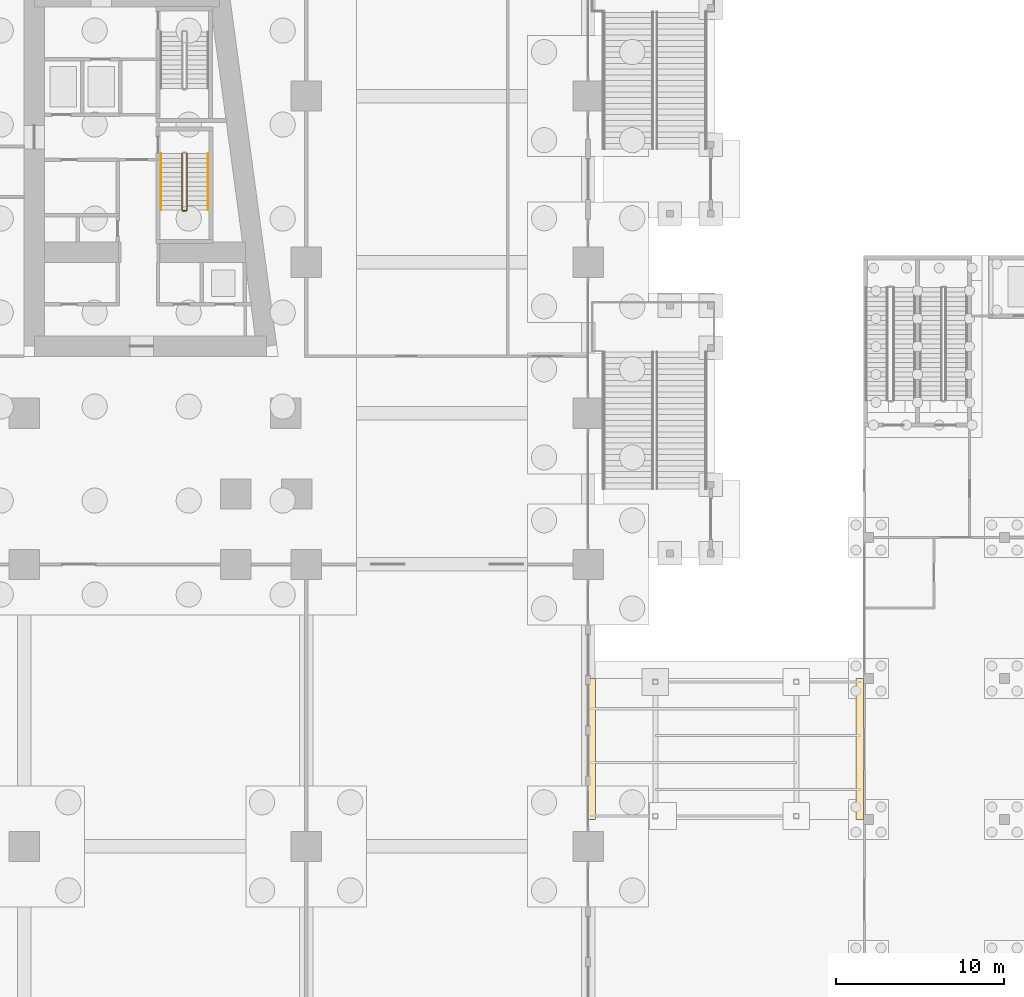
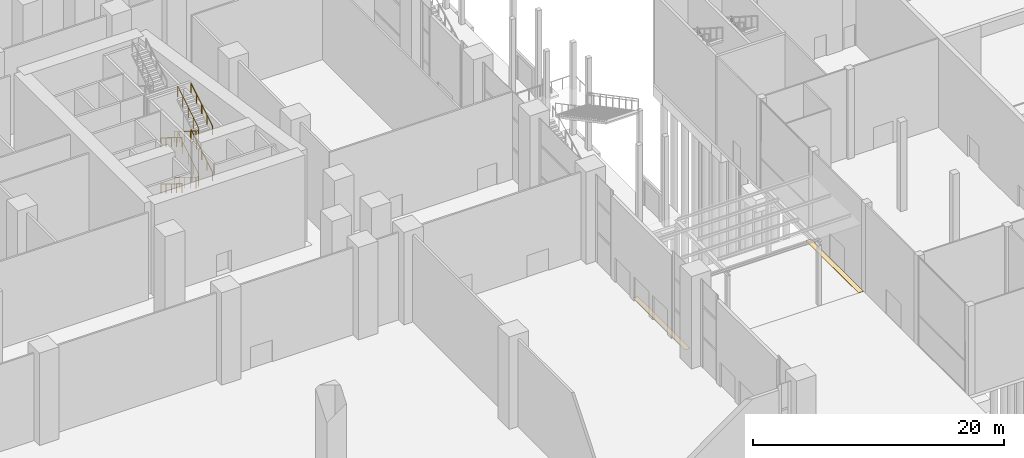
# One storey, part 62 of 72: 6 railings, 2 coverings.
"""IFC4 building model written with IfcOpenShell, lengths in metres."""

from ifc_helpers import new_model, si_unit, direction, frame, origin, origin_2d, place, context, subcontext, project, spatial, polyline, circle, outline, extrude, material, layer, layer_set, type_object, element, save


model = new_model("IFC4")

# Units and contexts
model_context = context("Model", 3, precision=1e-05, world=origin(), true_north=direction((0.0, 1.0)))
body_context = subcontext(model_context, "Body", "Model", "MODEL_VIEW")
ifc_project = project(units=[si_unit("LENGTHUNIT", "METRE"), si_unit("AREAUNIT", "SQUARE_METRE"), si_unit("VOLUMEUNIT", "CUBIC_METRE"), si_unit("PLANEANGLEUNIT", "RADIAN"), si_unit("MASSUNIT", "GRAM", prefix="KILO")], contexts=[model_context])

# Site, building, storey
site_placement = place(None, origin())
site = spatial("IfcSite", under=ifc_project, at=site_placement, CompositionType="ELEMENT")
building_placement = place(site_placement, origin())
building = spatial("IfcBuilding", under=site, at=building_placement, Name="Candeia Pilgrim Tower and Theatre", CompositionType="ELEMENT")
storey_placement = place(building_placement, origin())
storey = spatial("IfcBuildingStorey", under=building, at=storey_placement, Name="L00", CompositionType="ELEMENT", Elevation=0.0)

# Coverings
ifc_material_1 = material(Name="Stainless steel cover plate", Category="steel")
ifc_layer = layer(ifc_material_1, 0.011962890625)
ifc_layer_set = layer_set([ifc_layer], Name="Movement joint cover plate")
covering_type = type_object("IfcCoveringType", Name="Movement joint cover plate", PredefinedType="FLOORING", material=ifc_layer_set)
covering_1_placement = place(storey_placement, origin())
element("IfcCovering", 1, at=covering_1_placement, inside=storey, type_object=covering_type, Name="Movement joint A cover plate", PredefinedType="FLOORING", context=body_context, shape_type="SweptSolid", body=[
    extrude(outline(polyline([(159.60009765625, 82.800048828125), (160.050048828125, 82.800048828125), (160.050048828125, 91.199951171875), (159.60009765625, 91.199951171875), (159.60009765625, 82.800048828125)])), origin(), (0.0, 0.0, 1.0), 0.011962890625),
])
covering_2_placement = place(storey_placement, origin())
element("IfcCovering", 2, at=covering_2_placement, inside=storey, type_object=covering_type, Name="Movement joint B cover plate", PredefinedType="FLOORING", context=body_context, shape_type="SweptSolid", body=[
    extrude(outline(polyline([(175.550048828125, 82.800048828125), (176.0, 82.800048828125), (176.0, 91.199951171875), (175.550048828125, 91.199951171875), (175.550048828125, 82.800048828125)])), origin(), (0.0, 0.0, 1.0), 0.011962890625),
])

# Railings
ifc_material_2 = material(Name="Stainless steel balustrade", Category="steel")
railing_type_1 = type_object("IfcRailingType", Name="RL-GUARD-1100", PredefinedType="GUARDRAIL", material=ifc_material_2)
railing_1_placement = place(storey_placement, frame((135.39794921875, 122.47509765625, 0.173095703125)))
element("IfcRailing", 3, at=railing_1_placement, inside=storey, type_object=railing_type_1, Name="L00 ST3 stair guard 1", PredefinedType="GUARDRAIL", context=body_context, shape_type="SweptSolid", body=[
    extrude(circle(Radius=0.02392578125, at=origin_2d()), frame((0.0, 0.0, 1.076171875), z_axis=(0.0, -0.850623216509, 0.525775754039), x_axis=(1.0, 0.0, 0.0)), (0.0, 0.0, 1.0), 3.9501953125),
    extrude(circle(Radius=0.02392578125, at=origin_2d()), frame((0.0, -3.360107421875, 3.15283203125), z_axis=(0.707106781187, -0.707106781187, 0.0), x_axis=(0.707106781187, 0.707106781187, 0.0)), (0.0, 0.0, 1.0), 0.07080078125),
    extrude(circle(Radius=0.02392578125, at=origin_2d()), frame((0.050048828125, -3.41015625, 3.15283203125), z_axis=(1.0, 0.0, 0.0), x_axis=(0.0, 1.0, 0.0)), (0.0, 0.0, 1.0), 0.199951171875),
    extrude(circle(Radius=0.02392578125, at=origin_2d()), frame((0.25, -3.41015625, 3.15283203125), z_axis=(0.267629722418, 0.267629722418, 0.925607186314), x_axis=(-0.707106781187, 0.707106781187, 0.0)), (0.0, 0.0, 1.0), 0.18701171875),
    extrude(circle(Radius=0.02392578125, at=origin_2d()), frame((0.300048828125, -3.360107421875, 3.326171875), z_axis=(0.0, 0.850623216509, 0.525775754039), x_axis=(-1.0, 0.0, 0.0)), (0.0, 0.0, 1.0), 3.9501953125),
    extrude(circle(Radius=0.02099609375, at=origin_2d()), origin(), (0.0, 0.0, 1.0), 1.052001953125),
    extrude(circle(Radius=0.02099609375, at=origin_2d()), frame((0.0, -0.840087890625, 0.519287109375)), (0.0, 0.0, 1.0), 1.052001953125),
    extrude(circle(Radius=0.02099609375, at=origin_2d()), frame((0.0, -1.68017578125, 1.03857421875)), (0.0, 0.0, 1.0), 1.052001953125),
    extrude(circle(Radius=0.02099609375, at=origin_2d()), frame((0.0, -2.52001953125, 1.5576171875)), (0.0, 0.0, 1.0), 1.052001953125),
    extrude(circle(Radius=0.02099609375, at=origin_2d()), frame((0.0, -3.360107421875, 2.076904296875)), (0.0, 0.0, 1.0), 1.052001953125),
    extrude(circle(Radius=0.02099609375, at=origin_2d()), frame((0.050048828125, -3.41015625, 2.076904296875)), (0.0, 0.0, 1.0), 1.052001953125),
    extrude(circle(Radius=0.02099609375, at=origin_2d()), frame((0.25, -3.41015625, 2.076904296875)), (0.0, 0.0, 1.0), 1.052001953125),
    extrude(circle(Radius=0.02099609375, at=origin_2d()), frame((0.300048828125, -3.360107421875, 2.25)), (0.0, 0.0, 1.0), 1.052001953125),
    extrude(circle(Radius=0.02099609375, at=origin_2d()), frame((0.300048828125, -2.52001953125, 2.769287109375)), (0.0, 0.0, 1.0), 1.052001953125),
    extrude(circle(Radius=0.02099609375, at=origin_2d()), frame((0.300048828125, -1.68017578125, 3.28857421875)), (0.0, 0.0, 1.0), 1.052001953125),
    extrude(circle(Radius=0.02099609375, at=origin_2d()), frame((0.300048828125, -0.840087890625, 3.8076171875)), (0.0, 0.0, 1.0), 1.052001953125),
    extrude(circle(Radius=0.02099609375, at=origin_2d()), frame((0.300048828125, 0.0, 4.326904296875)), (0.0, 0.0, 1.0), 1.052001953125),
])
railing_2_placement = place(storey_placement, frame((135.39794921875, 122.47509765625, 4.673095703125)))
element("IfcRailing", 4, at=railing_2_placement, inside=storey, type_object=railing_type_1, Name="L00 ST3 stair guard 3", PredefinedType="GUARDRAIL", context=body_context, shape_type="SweptSolid", body=[
    extrude(circle(Radius=0.02392578125, at=origin_2d()), frame((0.0, 0.0, 1.076171875), z_axis=(0.0, -0.850623216509, 0.525775754039), x_axis=(1.0, 0.0, 0.0)), (0.0, 0.0, 1.0), 3.9501953125),
    extrude(circle(Radius=0.02392578125, at=origin_2d()), frame((0.0, -3.360107421875, 3.15283203125), z_axis=(0.707106781187, -0.707106781187, 0.0), x_axis=(0.707106781187, 0.707106781187, 0.0)), (0.0, 0.0, 1.0), 0.07080078125),
    extrude(circle(Radius=0.02392578125, at=origin_2d()), frame((0.050048828125, -3.41015625, 3.15283203125), z_axis=(1.0, 0.0, 0.0), x_axis=(0.0, 1.0, 0.0)), (0.0, 0.0, 1.0), 0.199951171875),
    extrude(circle(Radius=0.02392578125, at=origin_2d()), frame((0.25, -3.41015625, 3.15283203125), z_axis=(0.267629722418, 0.267629722418, 0.925607186314), x_axis=(-0.707106781187, 0.707106781187, 0.0)), (0.0, 0.0, 1.0), 0.18701171875),
    extrude(circle(Radius=0.02392578125, at=origin_2d()), frame((0.300048828125, -3.360107421875, 3.326171875), z_axis=(0.0, 0.850623216509, 0.525775754039), x_axis=(-1.0, 0.0, 0.0)), (0.0, 0.0, 1.0), 3.9501953125),
    extrude(circle(Radius=0.02099609375, at=origin_2d()), origin(), (0.0, 0.0, 1.0), 1.052001953125),
    extrude(circle(Radius=0.02099609375, at=origin_2d()), frame((0.0, -0.840087890625, 0.519287109375)), (0.0, 0.0, 1.0), 1.052001953125),
    extrude(circle(Radius=0.02099609375, at=origin_2d()), frame((0.0, -1.68017578125, 1.03857421875)), (0.0, 0.0, 1.0), 1.052001953125),
    extrude(circle(Radius=0.02099609375, at=origin_2d()), frame((0.0, -2.52001953125, 1.5576171875)), (0.0, 0.0, 1.0), 1.052001953125),
    extrude(circle(Radius=0.02099609375, at=origin_2d()), frame((0.0, -3.360107421875, 2.076904296875)), (0.0, 0.0, 1.0), 1.052001953125),
    extrude(circle(Radius=0.02099609375, at=origin_2d()), frame((0.050048828125, -3.41015625, 2.076904296875)), (0.0, 0.0, 1.0), 1.052001953125),
    extrude(circle(Radius=0.02099609375, at=origin_2d()), frame((0.25, -3.41015625, 2.076904296875)), (0.0, 0.0, 1.0), 1.052001953125),
    extrude(circle(Radius=0.02099609375, at=origin_2d()), frame((0.300048828125, -3.360107421875, 2.25)), (0.0, 0.0, 1.0), 1.052001953125),
    extrude(circle(Radius=0.02099609375, at=origin_2d()), frame((0.300048828125, -2.52001953125, 2.769287109375)), (0.0, 0.0, 1.0), 1.052001953125),
    extrude(circle(Radius=0.02099609375, at=origin_2d()), frame((0.300048828125, -1.68017578125, 3.28857421875)), (0.0, 0.0, 1.0), 1.052001953125),
    extrude(circle(Radius=0.02099609375, at=origin_2d()), frame((0.300048828125, -0.840087890625, 3.8076171875)), (0.0, 0.0, 1.0), 1.052001953125),
    extrude(circle(Radius=0.02099609375, at=origin_2d()), frame((0.300048828125, 0.0, 4.326904296875)), (0.0, 0.0, 1.0), 1.052001953125),
])
ifc_material_3 = material(Name="Stainless steel handrail", Category="steel")
railing_type_2 = type_object("IfcRailingType", Name="RL-HANDRAIL-900", PredefinedType="HANDRAIL", material=ifc_material_3)
railing_3_placement = place(storey_placement, frame((134.14794921875, 122.47509765625, 0.173095703125)))
element("IfcRailing", 5, at=railing_3_placement, inside=storey, type_object=railing_type_2, Name="L00 ST3 stair handrail 1", PredefinedType="HANDRAIL", context=body_context, shape_type="SweptSolid", body=[
    extrude(circle(Radius=0.02392578125, at=origin_2d()), frame((0.0, 0.0, 0.8759765625), z_axis=(0.0, -0.850623216509, 0.525775754039), x_axis=(1.0, 0.0, 0.0)), (0.0, 0.0, 1.0), 3.9501953125),
    extrude(circle(Radius=0.02099609375, at=origin_2d()), origin(), (0.0, 0.0, 1.0), 0.851806640625),
    extrude(circle(Radius=0.02099609375, at=origin_2d()), frame((0.0, -0.840087890625, 0.519287109375)), (0.0, 0.0, 1.0), 0.851806640625),
    extrude(circle(Radius=0.02099609375, at=origin_2d()), frame((0.0, -1.68017578125, 1.03857421875)), (0.0, 0.0, 1.0), 0.851806640625),
    extrude(circle(Radius=0.02099609375, at=origin_2d()), frame((0.0, -2.52001953125, 1.5576171875)), (0.0, 0.0, 1.0), 0.851806640625),
    extrude(circle(Radius=0.02099609375, at=origin_2d()), frame((0.0, -3.360107421875, 2.076904296875)), (0.0, 0.0, 1.0), 0.851806640625),
])
railing_4_placement = place(storey_placement, frame((136.947998046875, 119.114990234375, 2.423095703125)))
element("IfcRailing", 6, at=railing_4_placement, inside=storey, type_object=railing_type_2, Name="L00 ST3 stair handrail 2", PredefinedType="HANDRAIL", context=body_context, shape_type="SweptSolid", body=[
    extrude(circle(Radius=0.02392578125, at=origin_2d()), frame((0.0, 0.0, 0.8759765625), z_axis=(0.0, 0.850623216509, 0.525775754039), x_axis=(-1.0, 0.0, 0.0)), (0.0, 0.0, 1.0), 3.9501953125),
    extrude(circle(Radius=0.02099609375, at=origin_2d()), origin(), (0.0, 0.0, 1.0), 0.851806640625),
    extrude(circle(Radius=0.02099609375, at=origin_2d()), frame((0.0, 0.840087890625, 0.519287109375)), (0.0, 0.0, 1.0), 0.851806640625),
    extrude(circle(Radius=0.02099609375, at=origin_2d()), frame((0.0, 1.68017578125, 1.03857421875)), (0.0, 0.0, 1.0), 0.851806640625),
    extrude(circle(Radius=0.02099609375, at=origin_2d()), frame((0.0, 2.52001953125, 1.5576171875)), (0.0, 0.0, 1.0), 0.851806640625),
    extrude(circle(Radius=0.02099609375, at=origin_2d()), frame((0.0, 3.360107421875, 2.076904296875)), (0.0, 0.0, 1.0), 0.851806640625),
])
railing_5_placement = place(storey_placement, frame((134.14794921875, 122.47509765625, 4.673095703125)))
element("IfcRailing", 7, at=railing_5_placement, inside=storey, type_object=railing_type_2, Name="L00 ST3 stair handrail 3", PredefinedType="HANDRAIL", context=body_context, shape_type="SweptSolid", body=[
    extrude(circle(Radius=0.02392578125, at=origin_2d()), frame((0.0, 0.0, 0.8759765625), z_axis=(0.0, -0.850623216509, 0.525775754039), x_axis=(1.0, 0.0, 0.0)), (0.0, 0.0, 1.0), 3.9501953125),
    extrude(circle(Radius=0.02099609375, at=origin_2d()), origin(), (0.0, 0.0, 1.0), 0.851806640625),
    extrude(circle(Radius=0.02099609375, at=origin_2d()), frame((0.0, -0.840087890625, 0.519287109375)), (0.0, 0.0, 1.0), 0.851806640625),
    extrude(circle(Radius=0.02099609375, at=origin_2d()), frame((0.0, -1.68017578125, 1.03857421875)), (0.0, 0.0, 1.0), 0.851806640625),
    extrude(circle(Radius=0.02099609375, at=origin_2d()), frame((0.0, -2.52001953125, 1.5576171875)), (0.0, 0.0, 1.0), 0.851806640625),
    extrude(circle(Radius=0.02099609375, at=origin_2d()), frame((0.0, -3.360107421875, 2.076904296875)), (0.0, 0.0, 1.0), 0.851806640625),
])
railing_6_placement = place(storey_placement, frame((136.947998046875, 119.114990234375, 6.923095703125)))
element("IfcRailing", 8, at=railing_6_placement, inside=storey, type_object=railing_type_2, Name="L00 ST3 stair handrail 4", PredefinedType="HANDRAIL", context=body_context, shape_type="SweptSolid", body=[
    extrude(circle(Radius=0.02392578125, at=origin_2d()), frame((0.0, 0.0, 0.8759765625), z_axis=(0.0, 0.850623216509, 0.525775754039), x_axis=(-1.0, 0.0, 0.0)), (0.0, 0.0, 1.0), 3.9501953125),
    extrude(circle(Radius=0.02099609375, at=origin_2d()), origin(), (0.0, 0.0, 1.0), 0.851806640625),
    extrude(circle(Radius=0.02099609375, at=origin_2d()), frame((0.0, 0.840087890625, 0.519287109375)), (0.0, 0.0, 1.0), 0.851806640625),
    extrude(circle(Radius=0.02099609375, at=origin_2d()), frame((0.0, 1.68017578125, 1.03857421875)), (0.0, 0.0, 1.0), 0.851806640625),
    extrude(circle(Radius=0.02099609375, at=origin_2d()), frame((0.0, 2.52001953125, 1.5576171875)), (0.0, 0.0, 1.0), 0.851806640625),
    extrude(circle(Radius=0.02099609375, at=origin_2d()), frame((0.0, 3.360107421875, 2.076904296875)), (0.0, 0.0, 1.0), 0.851806640625),
])

save(model, "model.ifc")
